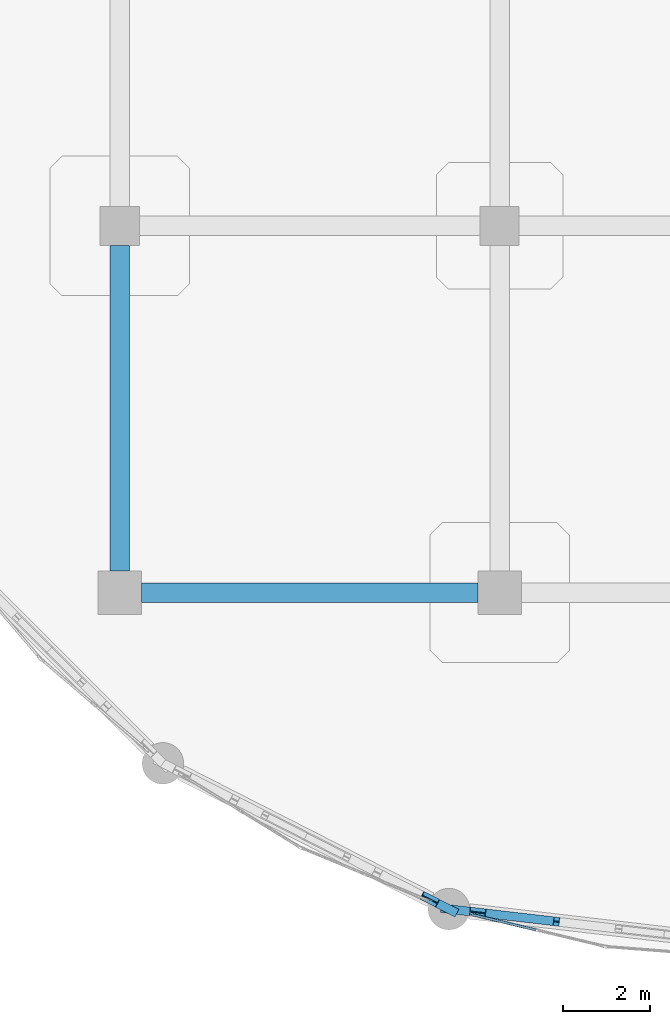
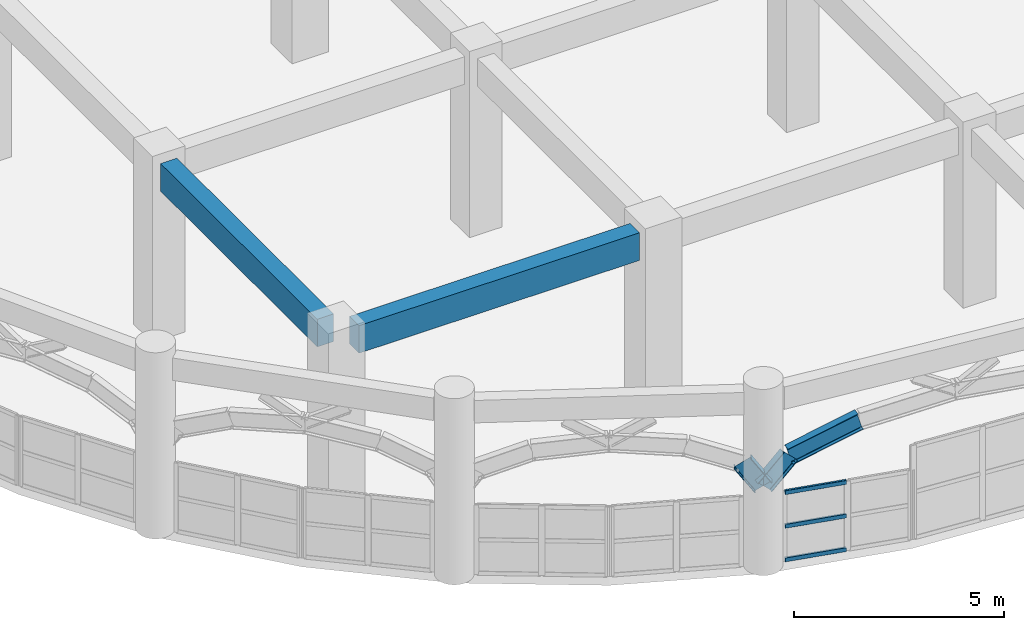
# One storey, part 4 of 114: 5 beams, 3 members, 1 element without a shape of its own.
"""IFC4 building model written with IfcOpenShell, lengths in metres."""

from ifc_helpers import new_model, si_unit, derived_unit, direction, frame, origin, origin_2d, place, context, subcontext, project, spatial, rectangle, hollow_rectangle, i_section, extrude, material, layer, layer_set, material_profile, profile_set, type_object, element, aggregate, save


model = new_model("IFC4")

# Units and contexts
model_context = context("Model", 3, precision=1e-05, world=origin(), true_north=direction((0.0, 1.0)))
body_context = subcontext(model_context, "Body", "Model", "MODEL_VIEW")
ifc_project = project(units=[si_unit("LENGTHUNIT", "METRE"), si_unit("AREAUNIT", "SQUARE_METRE"), si_unit("VOLUMEUNIT", "CUBIC_METRE"), si_unit("PLANEANGLEUNIT", "RADIAN"), si_unit("MASSUNIT", "GRAM", prefix="KILO"), derived_unit("THERMALTRANSMITTANCEUNIT", [(si_unit("MASSUNIT", "GRAM", prefix="KILO"), 1), (si_unit("TIMEUNIT", "SECOND"), -3), (si_unit("THERMODYNAMICTEMPERATUREUNIT", "KELVIN"), -1)])], contexts=[model_context])

# Site, building, storey
site_placement = place(None, origin())
site = spatial("IfcSite", under=ifc_project, at=site_placement, CompositionType="ELEMENT")
building_placement = place(site_placement, origin())
building = spatial("IfcBuilding", under=site, at=building_placement, Name="Qinzheling Arcade Emporium", CompositionType="ELEMENT")
storey_placement = place(building_placement, frame((0.0, 0.0, 6.0)))
storey = spatial("IfcBuildingStorey", under=building, at=storey_placement, Name="L02", CompositionType="ELEMENT", Elevation=6.0)

# Beams
ifc_material_1 = material(Name="Weathering steel Q355NH", Category="steel")
ifc_material_profile_1 = material_profile(ifc_material_1, i_section(OverallWidth=0.199951171875, OverallDepth=0.5, WebThickness=0.010009765625, FlangeThickness=0.01611328125, FilletRadius=0.01806640625, at=origin_2d()), Name="HN 500x200x10x16", Category="steel")
ifc_profile_set_1 = profile_set([ifc_material_profile_1], Name="Weathering steel Q355NH")
beam_type_1 = type_object("IfcBeamType", Name="Arcade End Arch Rib HN500 Q355NH", PredefinedType="BEAM", material=ifc_profile_set_1)
beam_1_placement = place(storey_placement, frame((15.799072265625, 1.3740234375, 2.988037109375), z_axis=(0.506373029134, -0.258537508757, -0.822644948888), x_axis=(0.454726998779, 0.890630875605, 0.0)))
element("IfcBeam", 1, at=beam_1_placement, inside=storey, type_object=beam_type_1, Name="Curved Arcade Entrance Arch ARC-L02-CV1-B04-C06", PredefinedType="BEAM", context=body_context, shape_type="SweptSolid", body=[
    extrude(i_section(OverallWidth=0.199951171875, OverallDepth=0.5, WebThickness=0.010009765625, FlangeThickness=0.01611328125, FilletRadius=0.01806640625, at=origin_2d()), origin(), (0.0, 0.0, 1.0), 0.866943359375),
])
beam_2_placement = place(storey_placement, frame((16.238037109375, 1.14990234375, 2.27490234375), z_axis=(0.677612068588, -0.078850314594, 0.731180218819), x_axis=(0.115585053475, 0.993297586533, 0.0)))
element("IfcBeam", 2, at=beam_2_placement, inside=storey, type_object=beam_type_1, Name="Curved Arcade Entrance Arch ARC-L02-CV1-B05-C01", PredefinedType="BEAM", context=body_context, shape_type="SweptSolid", body=[
    extrude(i_section(OverallWidth=0.199951171875, OverallDepth=0.5, WebThickness=0.010009765625, FlangeThickness=0.01611328125, FilletRadius=0.01806640625, at=origin_2d()), origin(), (0.0, 0.0, 1.0), 0.975341796875),
])
beam_3_placement = place(storey_placement, frame((16.89892578125, 1.072998046875, 2.988037109375), z_axis=(0.954784434483, -0.1111266225, 0.275749084205), x_axis=(0.115608816633, 0.993294821046, 0.0)))
element("IfcBeam", 3, at=beam_3_placement, inside=storey, type_object=beam_type_1, Name="Curved Arcade Entrance Arch ARC-L02-CV1-B05-C02", PredefinedType="BEAM", context=body_context, shape_type="SweptSolid", body=[
    extrude(i_section(OverallWidth=0.199951171875, OverallDepth=0.5, WebThickness=0.010009765625, FlangeThickness=0.01611328125, FilletRadius=0.01806640625, at=origin_2d()), origin(), (0.0, 0.0, 1.0), 1.889404296875),
])

# Curtain wall, members
ifc_material_2 = material(Name="Anodised aluminium and solar-control double glazing", Category="aluminium")
ifc_layer = layer(ifc_material_2, 0.159912109375, Name="Anodised aluminium and solar-control double glazing", Category="aluminium")
ifc_layer_set = layer_set([ifc_layer], Name="Anodised aluminium and solar-control double glazing")
curtain_wall_type = type_object("IfcCurtainWallType", Name="Curved Ribbon Sales Curtain Wall", PredefinedType="NOTDEFINED", material=ifc_layer_set)
curtain_wall_placement = place(storey_placement, origin())
curtain_wall = element("IfcCurtainWall", 4, at=curtain_wall_placement, inside=storey, type_object=curtain_wall_type, Name="Curtain Wall CW-L02-074", PredefinedType="NOTDEFINED")
ifc_material_3 = material(Name="Anodised aluminium 6063-T6", Category="aluminium")
ifc_material_profile_2 = material_profile(ifc_material_3, hollow_rectangle(XDim=0.06005859375, YDim=0.1201171875, WallThickness=0.00390625, InnerFilletRadius=0.00390625, OuterFilletRadius=0.008056640625, at=origin_2d()), Name="RHS 120x60x4", Category="aluminium")
ifc_profile_set_2 = profile_set([ifc_material_profile_2], Name="Anodised aluminium 6063-T6")
member_type = type_object("IfcMemberType", Name="Curtain Wall Transom RHS120x60", PredefinedType="USERDEFINED", material=ifc_profile_set_2)
member_1_placement = place(storey_placement, frame((18.23388671875, 0.6708984375, 0.030029296875), z_axis=(-0.972337563874, 0.233580097352, 0.0), x_axis=(-0.233580097352, -0.972337563874, 0.0)))
member_1 = element("IfcMember", 5, at=member_1_placement, type_object=member_type, Name="CW02 transom 2.1", ObjectType="TRANSOM", PredefinedType="USERDEFINED", context=body_context, shape_type="SweptSolid", body=[
    extrude(hollow_rectangle(XDim=0.06005859375, YDim=0.1201171875, WallThickness=0.00390625, InnerFilletRadius=0.00390625, OuterFilletRadius=0.008056640625, at=origin_2d()), origin(), (0.0, 0.0, 1.0), 1.515625),
])
member_2_placement = place(storey_placement, frame((18.23388671875, 0.6708984375, 1.0048828125), z_axis=(-0.972337563874, 0.233580097352, 0.0), x_axis=(-0.233580097352, -0.972337563874, 0.0)))
member_2 = element("IfcMember", 6, at=member_2_placement, type_object=member_type, Name="CW02 transom 2.2", ObjectType="TRANSOM", PredefinedType="USERDEFINED", context=body_context, shape_type="SweptSolid", body=[
    extrude(hollow_rectangle(XDim=0.06005859375, YDim=0.1201171875, WallThickness=0.00390625, InnerFilletRadius=0.00390625, OuterFilletRadius=0.008056640625, at=origin_2d()), origin(), (0.0, 0.0, 1.0), 1.515625),
])
member_3_placement = place(storey_placement, frame((18.23388671875, 0.6708984375, 1.97998046875), z_axis=(-0.972337563874, 0.233580097352, 0.0), x_axis=(-0.233580097352, -0.972337563874, 0.0)))
member_3 = element("IfcMember", 7, at=member_3_placement, type_object=member_type, Name="CW02 transom 2.3", ObjectType="TRANSOM", PredefinedType="USERDEFINED", context=body_context, shape_type="SweptSolid", body=[
    extrude(hollow_rectangle(XDim=0.06005859375, YDim=0.1201171875, WallThickness=0.00390625, InnerFilletRadius=0.00390625, OuterFilletRadius=0.008056640625, at=origin_2d()), origin(), (0.0, 0.0, 1.0), 1.515625),
])
aggregate(curtain_wall, [member_1, member_2, member_3])

# Beams
ifc_material_4 = material(Name="Concrete C40", Category="concrete")
ifc_material_profile_3 = material_profile(ifc_material_4, rectangle(XDim=0.449951171875, YDim=0.800048828125, at=origin_2d()), Name="RC 450x800", Category="concrete")
ifc_profile_set_3 = profile_set([ifc_material_profile_3], Name="Concrete C40")
beam_type_2 = type_object("IfcBeamType", Name="RC Primary Frame Beam 450x800 C40", PredefinedType="BEAM", material=ifc_profile_set_3)
beam_4_placement = place(storey_placement, frame((9.199951171875, 8.39990234375, 4.719970703125), z_axis=(1.0, 0.0, 0.0), x_axis=(0.0, 1.0, 0.0)))
element("IfcBeam", 8, at=beam_4_placement, inside=storey, type_object=beam_type_2, Name="Beam BM-L02-X-B-2", PredefinedType="BEAM", context=body_context, shape_type="SweptSolid", body=[
    extrude(rectangle(XDim=0.449951171875, YDim=0.800048828125, at=origin_2d()), origin(), (0.0, 0.0, 1.0), 7.699951171875),
])
beam_5_placement = place(storey_placement, frame((8.699951171875, 8.89990234375, 4.719970703125), z_axis=(0.0, 1.0, 0.0), x_axis=(-1.0, 0.0, 0.0)))
element("IfcBeam", 9, at=beam_5_placement, inside=storey, type_object=beam_type_2, Name="Beam BM-L02-Y-2-B", PredefinedType="BEAM", context=body_context, shape_type="SweptSolid", body=[
    extrude(rectangle(XDim=0.449951171875, YDim=0.800048828125, at=origin_2d()), origin(), (0.0, 0.0, 1.0), 7.4501953125),
])

save(model, "model.ifc")
